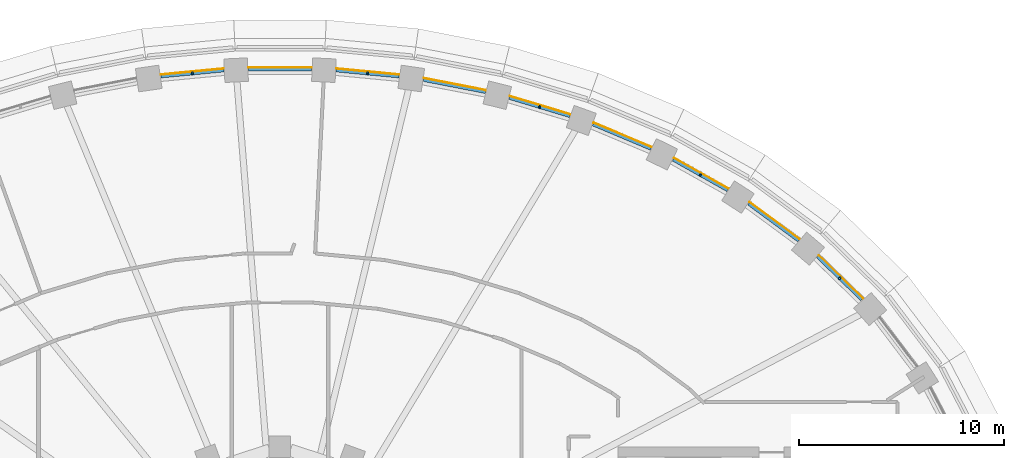
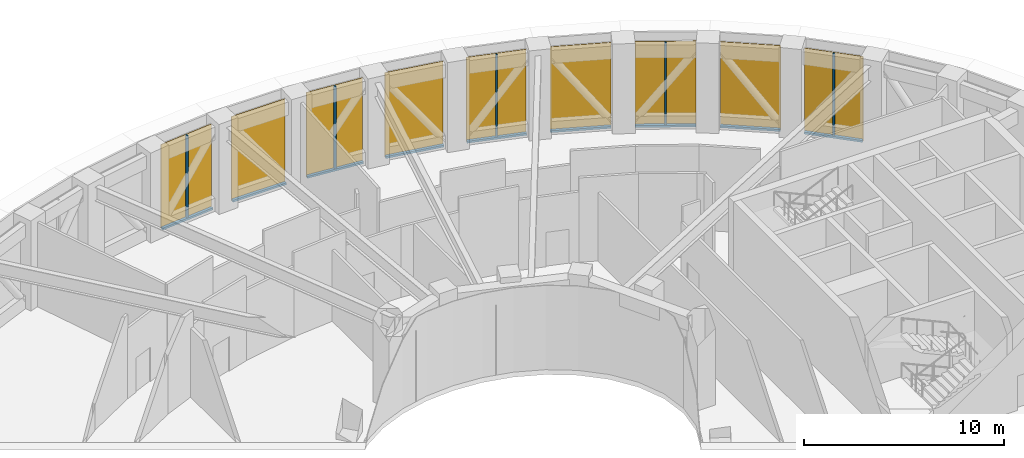
# One storey, part 18 of 25: 14 members, 9 curtain walls.
"""IFC4 building model written with IfcOpenShell, lengths in metres."""

import ifcopenshell
import ifcopenshell.guid

model = None  # the IFC model being written
_history = None  # IfcOwnerHistory: only IFC2X3 demands one
_inside = {}  # id of a spatial element -> (the spatial element, [elements in it])
_under = {}  # id of a project, library or spatial element -> (it, [spatial elements below it])
_declared = {}  # id of a project -> (the project, [libraries it declares])
_typed = {}  # id of a type object -> (the type object, [elements of that type])
_made_of = {}  # id of a material, layer set ... -> (it, [elements and type objects made of it])


def new_model(schema):
    """Start an empty IFC model of exactly this schema.

    Asked for "IFC4X3", IfcOpenShell would pick the latest addendum, in which some entities
    have other attributes; the version numbers below select the first issue.
    IFC2X3 requires an IfcOwnerHistory on every rooted entity: one is made here for all.
    """
    global model, _history
    if schema == "IFC4X3":
        model = ifcopenshell.file(schema_version=(4, 3, 0, 0))
    else:
        model = ifcopenshell.file(schema=schema)
    _inside.clear()
    _under.clear()
    _declared.clear()
    _typed.clear()
    _made_of.clear()
    _history = None
    if model.schema == "IFC2X3":
        org = make("IfcOrganization", Name="unknown")
        user = make(
            "IfcPersonAndOrganization",
            ThePerson=make("IfcPerson", FamilyName="unknown"),
            TheOrganization=org,
        )
        app = make(
            "IfcApplication",
            ApplicationDeveloper=org,
            Version="unknown",
            ApplicationFullName="unknown",
            ApplicationIdentifier="unknown",
        )
        _history = make(
            "IfcOwnerHistory",
            OwningUser=user,
            OwningApplication=app,
            ChangeAction="ADDED",
            CreationDate=0,
        )
    return model


def make(cls, **values):
    """One entity of the class cls with the attributes given. An attribute that is None is left unset."""
    return model.create_entity(
        cls, **{name: value for name, value in values.items() if value is not None}
    )


def rooted(cls, **values):
    """An entity with a GlobalId (a new one), such as an element, a storey or a relation."""
    return make(cls, GlobalId=ifcopenshell.guid.new(), OwnerHistory=_history, **values)


def si_unit(unit_type, name, prefix=None):
    """IfcSIUnit, for example si_unit("LENGTHUNIT", "METRE", prefix="MILLI")."""
    return make("IfcSIUnit", UnitType=unit_type, Prefix=prefix, Name=name)


def assignment(units):
    """IfcUnitAssignment: the units of a project."""
    return None if units is None else make("IfcUnitAssignment", Units=units)


def point(xyz):
    """IfcCartesianPoint."""
    return None if xyz is None else make("IfcCartesianPoint", Coordinates=xyz)


def direction(xyz):
    """IfcDirection."""
    return None if xyz is None else make("IfcDirection", DirectionRatios=xyz)


def frame(location, z_axis=None, x_axis=None):
    """IfcAxis2Placement3D, a coordinate frame: its origin and axes. An axis left out is left unset."""
    return make(
        "IfcAxis2Placement3D",
        Location=point(location),
        Axis=direction(z_axis),
        RefDirection=direction(x_axis),
    )


def frame_2d(location, x_axis=None):
    """IfcAxis2Placement2D, a coordinate frame in the plane: its origin and x axis."""
    return make(
        "IfcAxis2Placement2D", Location=point(location), RefDirection=direction(x_axis)
    )


def origin():
    """The frame at (0, 0, 0) with its axes left unset."""
    return frame((0.0, 0.0, 0.0))


def origin_2d():
    """The frame at (0, 0) in the plane with its x axis left unset."""
    return frame_2d((0.0, 0.0))


def place(relative_to, where):
    """IfcLocalPlacement: puts the frame where relative to a parent placement (None: the world)."""
    return make(
        "IfcLocalPlacement", PlacementRelTo=relative_to, RelativePlacement=where
    )


def context(
    kind, dimensions, precision=None, world=None, true_north=None, identifier=None
):
    """IfcGeometricRepresentationContext, for example the 3D "Model" context."""
    return make(
        "IfcGeometricRepresentationContext",
        ContextIdentifier=identifier,
        ContextType=kind,
        CoordinateSpaceDimension=dimensions,
        Precision=precision,
        WorldCoordinateSystem=world,
        TrueNorth=true_north,
    )


def subcontext(parent, identifier, kind, view, scale=None):
    """IfcGeometricRepresentationSubContext, for example "Body" below "Model"."""
    return make(
        "IfcGeometricRepresentationSubContext",
        ContextIdentifier=identifier,
        ContextType=kind,
        ParentContext=parent,
        TargetScale=scale,
        TargetView=view,
    )


def project(units=None, contexts=None):
    """IfcProject with its units and contexts."""
    return rooted(
        "IfcProject",
        Name="project",
        RepresentationContexts=contexts,
        UnitsInContext=assignment(units),
    )


def spatial(cls, under=None, at=None, **own):
    """A site, building, storey or space (cls), placed at a placement, below another one or the project."""
    s = rooted(cls, ObjectPlacement=at, **own)
    if under is not None:
        _under.setdefault(under.id(), (under, []))[1].append(s)
    return s


def polyline(points):
    """IfcPolyline through the points."""
    return make("IfcPolyline", Points=[point(p) for p in points])


def profile(cls, at=None, kind="AREA", **sizes):
    """A parametric profile (cls). Its sizes go by their IFC names, for example OverallWidth=200.0."""
    return make(cls, ProfileType=kind, Position=at, **sizes)


def rectangle(**sizes):
    """IfcRectangleProfileDef."""
    return profile("IfcRectangleProfileDef", **sizes)


def outline(outer, holes=None, kind="AREA"):
    """IfcArbitraryClosedProfileDef: a profile drawn as a closed curve; with holes, ...WithVoids."""
    if holes is None:
        return make("IfcArbitraryClosedProfileDef", ProfileType=kind, OuterCurve=outer)
    return make(
        "IfcArbitraryProfileDefWithVoids",
        ProfileType=kind,
        OuterCurve=outer,
        InnerCurves=holes,
    )


def extrude(swept, where, along, depth):
    """IfcExtrudedAreaSolid: the profile swept, set in the frame where, extruded along a direction by depth."""
    return make(
        "IfcExtrudedAreaSolid",
        SweptArea=swept,
        Position=where,
        ExtrudedDirection=direction(along),
        Depth=depth,
    )


def shape(context_of_items, identifier, shape_type, items):
    """IfcShapeRepresentation: the items that make up one representation, for example the "Body"."""
    return make(
        "IfcShapeRepresentation",
        ContextOfItems=context_of_items,
        RepresentationIdentifier=identifier,
        RepresentationType=shape_type,
        Items=items,
    )


def material(Name=None, Category=None):
    """IfcMaterial."""
    return make("IfcMaterial", Name=Name, Category=Category)


def layer(
    of_material, thickness, ventilated=None, Name=None, Category=None, Priority=None
):
    """IfcMaterialLayer: one layer of a wall or slab, of a material (None: an air gap)."""
    return make(
        "IfcMaterialLayer",
        Material=of_material,
        LayerThickness=thickness,
        IsVentilated=ventilated,
        Name=Name,
        Category=Category,
        Priority=Priority,
    )


def layer_set(layers, Name=None):
    """IfcMaterialLayerSet."""
    return make("IfcMaterialLayerSet", MaterialLayers=layers, LayerSetName=Name)


def material_profile(
    of_material, cross_section, Name=None, Category=None, Priority=None
):
    """IfcMaterialProfile: a cross section and its material."""
    return make(
        "IfcMaterialProfile",
        Name=Name,
        Material=of_material,
        Profile=cross_section,
        Priority=Priority,
        Category=Category,
    )


def profile_set(profiles, Name=None, composite=None):
    """IfcMaterialProfileSet."""
    return make(
        "IfcMaterialProfileSet",
        Name=Name,
        MaterialProfiles=profiles,
        CompositeProfile=composite,
    )


def made_of(thing, what):
    """Note that an element or type object is made of a material, layer set ...; save() writes the relation."""
    if what is not None:
        _made_of.setdefault(what.id(), (what, []))[1].append(thing)
    return thing


def type_object(cls, material=None, **own):
    """A type object (cls), such as IfcWallType, which elements share."""
    return made_of(rooted(cls, **own), material)


def element(
    cls,
    number,
    at=None,
    inside=None,
    cuts=None,
    type_object=None,
    material=None,
    context=None,
    identifier="Body",
    shape_type=None,
    held_by="IfcProductDefinitionShape",
    body=None,
    shapes=None,
    **own,
):
    """One element of the class cls, such as IfcWall. Its Tag is "e" and its number.

    at: its placement. inside: the storey or other place that contains it. cuts: it is an
    opening in that element (IfcRelVoidsElement). A single representation is given by context,
    identifier, shape_type and body (its items); several are given by shapes. held_by: the class
    of the entity that holds the representations. save() writes the other relations.
    """
    e = rooted(cls, Tag="e%d" % number, ObjectPlacement=at, **own)
    if body is not None:
        shapes = [shape(context, identifier, shape_type, body)]
    if shapes is not None:
        e.Representation = make(held_by, Representations=shapes)
    if inside is not None:
        _inside.setdefault(inside.id(), (inside, []))[1].append(e)
    if cuts is not None:
        rooted(
            "IfcRelVoidsElement", RelatingBuildingElement=cuts, RelatedOpeningElement=e
        )
    if type_object is not None:
        _typed.setdefault(type_object.id(), (type_object, []))[1].append(e)
    return made_of(e, material)


def aggregate(whole, parts):
    """IfcRelAggregates: a whole, such as a stair, and the parts it consists of."""
    return rooted("IfcRelAggregates", RelatingObject=whole, RelatedObjects=parts)


def save(model, path):
    """Write the relations noted so far, then the file.

    IfcRelAggregates (storeys below a building ...), IfcRelContainedInSpatialStructure (elements
    in a storey), IfcRelDefinesByType, IfcRelAssociatesMaterial and IfcRelDeclares: one each for
    every whole, place, type object, material and project.
    """
    for whole, parts in _under.values():
        aggregate(whole, parts)
    for where, things in _inside.values():
        rooted(
            "IfcRelContainedInSpatialStructure",
            RelatedElements=things,
            RelatingStructure=where,
        )
    for kind, things in _typed.values():
        rooted("IfcRelDefinesByType", RelatedObjects=things, RelatingType=kind)
    for what, things in _made_of.values():
        rooted("IfcRelAssociatesMaterial", RelatedObjects=things, RelatingMaterial=what)
    for by, libraries in _declared.values():
        rooted("IfcRelDeclares", RelatingContext=by, RelatedDefinitions=libraries)
    model.write(path)


model = new_model("IFC4")

# Units and contexts
model_context = context("Model", 3, precision=1e-05, world=origin(), true_north=direction((0.0, 1.0)))
body_context = subcontext(model_context, "Body", "Model", "MODEL_VIEW")
ifc_project = project(units=[si_unit("LENGTHUNIT", "METRE"), si_unit("AREAUNIT", "SQUARE_METRE"), si_unit("VOLUMEUNIT", "CUBIC_METRE"), si_unit("PLANEANGLEUNIT", "RADIAN"), si_unit("MASSUNIT", "GRAM", prefix="KILO")], contexts=[model_context])

# Member
ifc_material_1 = material(Name="Aluminium 6063-T6 black anodised", Category="aluminium")
ifc_material_profile = material_profile(ifc_material_1, rectangle(XDim=0.14990234375, YDim=0.080078125, at=origin_2d()), Name="150x80")
ifc_profile_set = profile_set([ifc_material_profile], Name="Aluminium 6063-T6 black anodised")
member_type_1 = type_object("IfcMemberType", Name="ENV-MULLION-B-150", PredefinedType="MULLION", material=ifc_profile_set)
site_placement = place(None, origin())
building_placement = place(site_placement, origin())
storey_placement = place(building_placement, frame((0.0, 0.0, 198.0)))
member_1_placement = place(storey_placement, frame((27.3310546875, 16.73583984375, 0.1201171875), z_axis=(0.0, 0.0, 1.0), x_axis=(-0.696842125038, -0.717224548362, 0.0)))
member_1 = element("IfcMember", 1, at=member_1_placement, type_object=member_type_1, Name="Mullion B chord 05", PredefinedType="MULLION", context=body_context, shape_type="SweptSolid", body=[
    extrude(rectangle(XDim=0.14990234375, YDim=0.080078125, at=origin_2d()), origin(), (0.0, 0.0, 1.0), 5.02978515625),
])

member_2_placement = place(storey_placement, frame((20.525634765625, 21.780029296875, 0.1201171875), z_axis=(0.0, 0.0, 1.0), x_axis=(-0.48942643941, -0.872044586249, 0.0)))
member_2 = element("IfcMember", 2, at=member_2_placement, type_object=member_type_1, Name="Mullion B chord 07", PredefinedType="MULLION", context=body_context, shape_type="SweptSolid", body=[
    extrude(rectangle(XDim=0.14990234375, YDim=0.080078125, at=origin_2d()), origin(), (0.0, 0.0, 1.0), 5.02978515625),
])

member_3_placement = place(storey_placement, frame((12.673828125, 25.098388671875, 0.1201171875), z_axis=(0.0, 0.0, 1.0), x_axis=(-0.28817445525, -0.957577925467, 0.0)))
member_3 = element("IfcMember", 3, at=member_3_placement, type_object=member_type_1, Name="Mullion B chord 09", PredefinedType="MULLION", context=body_context, shape_type="SweptSolid", body=[
    extrude(rectangle(XDim=0.14990234375, YDim=0.080078125, at=origin_2d()), origin(), (0.0, 0.0, 1.0), 5.02978515625),
])

member_4_placement = place(storey_placement, frame((4.2802734375, 26.7373046875, 0.1201171875), z_axis=(0.0, 0.0, 1.0), x_axis=(-0.095008122171, -0.995476497323, 0.0)))
member_4 = element("IfcMember", 4, at=member_4_placement, type_object=member_type_1, Name="Mullion B chord 11", PredefinedType="MULLION", context=body_context, shape_type="SweptSolid", body=[
    extrude(rectangle(XDim=0.14990234375, YDim=0.080078125, at=origin_2d()), origin(), (0.0, 0.0, 1.0), 5.02978515625),
])

member_5_placement = place(storey_placement, frame((-4.2802734375, 26.7373046875, 0.1201171875), z_axis=(0.0, 0.0, 1.0), x_axis=(0.095008122171, -0.995476497323, 0.0)))
member_5 = element("IfcMember", 5, at=member_5_placement, type_object=member_type_1, Name="Mullion B chord 13", PredefinedType="MULLION", context=body_context, shape_type="SweptSolid", body=[
    extrude(rectangle(XDim=0.14990234375, YDim=0.080078125, at=origin_2d()), origin(), (0.0, 0.0, 1.0), 5.02978515625),
])

ifc_material_2 = material(Name="Aluminium 6063-T6 black anodised", Category="aluminium")
member_type_2 = type_object("IfcMemberType", Name="ENV-TRANSOM-B", PredefinedType="USERDEFINED", material=ifc_material_2)
member_6_placement = place(storey_placement, origin())
member_6 = element("IfcMember", 6, at=member_6_placement, type_object=member_type_2, Name="Transom B radial 05-06", ObjectType="TRANSOM", PredefinedType="USERDEFINED", context=body_context, shape_type="SweptSolid", body=[
    extrude(outline(polyline([(28.465087890625, 15.73876953125), (26.298583984375, 17.843505859375), (26.201416015625, 17.72900390625), (28.3525390625, 15.638916015625), (28.465087890625, 15.73876953125)])), origin(), (0.0, 0.0, 1.0), 0.1201171875),
])

member_7_placement = place(storey_placement, origin())
member_7 = element("IfcMember", 7, at=member_7_placement, type_object=member_type_2, Name="Transom B radial 06-07", ObjectType="TRANSOM", PredefinedType="USERDEFINED", context=body_context, shape_type="SweptSolid", body=[
    extrude(outline(polyline([(25.365966796875, 18.6337890625), (22.916748046875, 20.43798828125), (22.835205078125, 20.3115234375), (25.268798828125, 18.519287109375), (25.365966796875, 18.6337890625)])), origin(), (0.0, 0.0, 1.0), 0.1201171875),
])

member_8_placement = place(storey_placement, origin())
member_8 = element("IfcMember", 8, at=member_8_placement, type_object=member_type_2, Name="Transom B radial 07-08", ObjectType="TRANSOM", PredefinedType="USERDEFINED", context=body_context, shape_type="SweptSolid", body=[
    extrude(outline(polyline([(21.894775390625, 21.097412109375), (19.227294921875, 22.5947265625), (19.1611328125, 22.459716796875), (21.813232421875, 20.97119140625), (21.894775390625, 21.097412109375)])), origin(), (0.0, 0.0, 1.0), 0.1201171875),
])

member_9_placement = place(storey_placement, origin())
member_9 = element("IfcMember", 9, at=member_9_placement, type_object=member_type_2, Name="Transom B radial 08-09", ObjectType="TRANSOM", PredefinedType="USERDEFINED", context=body_context, shape_type="SweptSolid", body=[
    extrude(outline(polyline([(18.138916015625, 23.126708984375), (15.306884765625, 24.317626953125), (15.256103515625, 24.176513671875), (18.072998046875, 22.99169921875), (18.138916015625, 23.126708984375)])), origin(), (0.0, 0.0, 1.0), 0.1201171875),
])

member_10_placement = place(storey_placement, origin())
member_10 = element("IfcMember", 10, at=member_10_placement, type_object=member_type_2, Name="Transom B radial 09-10", ObjectType="TRANSOM", PredefinedType="USERDEFINED", context=body_context, shape_type="SweptSolid", body=[
    extrude(outline(polyline([(14.170654296875, 24.726318359375), (11.218994140625, 25.614501953125), (11.18310546875, 25.46875), (14.119873046875, 24.5849609375), (14.170654296875, 24.726318359375)])), origin(), (0.0, 0.0, 1.0), 0.1201171875),
])

member_11_placement = place(storey_placement, origin())
member_11 = element("IfcMember", 11, at=member_11_placement, type_object=member_type_2, Name="Transom B radial 10-11", ObjectType="TRANSOM", PredefinedType="USERDEFINED", context=body_context, shape_type="SweptSolid", body=[
    extrude(outline(polyline([(10.049560546875, 25.9033203125), (7.01708984375, 26.492919921875), (6.995849609375, 26.34423828125), (10.013427734375, 25.757568359375), (10.049560546875, 25.9033203125)])), origin(), (0.0, 0.0, 1.0), 0.1201171875),
])

member_12_placement = place(storey_placement, origin())
member_12 = element("IfcMember", 12, at=member_12_placement, type_object=member_type_2, Name="Transom B radial 11-12", ObjectType="TRANSOM", PredefinedType="USERDEFINED", context=body_context, shape_type="SweptSolid", body=[
    extrude(outline(polyline([(5.82666015625, 26.6650390625), (2.747802734375, 26.958740234375), (2.740478515625, 26.808837890625), (5.80517578125, 26.516357421875), (5.82666015625, 26.6650390625)])), origin(), (0.0, 0.0, 1.0), 0.1201171875),
])

member_13_placement = place(storey_placement, origin())
member_13 = element("IfcMember", 13, at=member_13_placement, type_object=member_type_2, Name="Transom B radial 12-13", ObjectType="TRANSOM", PredefinedType="USERDEFINED", context=body_context, shape_type="SweptSolid", body=[
    extrude(outline(polyline([(1.547119140625, 27.01611328125), (-1.547119140625, 27.01611328125), (-1.5400390625, 26.865966796875), (1.5400390625, 26.865966796875), (1.547119140625, 27.01611328125)])), origin(), (0.0, 0.0, 1.0), 0.1201171875),
])

member_14_placement = place(storey_placement, origin())
member_14 = element("IfcMember", 14, at=member_14_placement, type_object=member_type_2, Name="Transom B radial 13-14", ObjectType="TRANSOM", PredefinedType="USERDEFINED", context=body_context, shape_type="SweptSolid", body=[
    extrude(outline(polyline([(-2.747802734375, 26.958740234375), (-5.82666015625, 26.6650390625), (-5.80517578125, 26.516357421875), (-2.740478515625, 26.808837890625), (-2.747802734375, 26.958740234375)])), origin(), (0.0, 0.0, 1.0), 0.1201171875),
])

# Site, building, storey
site = spatial("IfcSite", under=ifc_project, at=site_placement, CompositionType="ELEMENT")
building = spatial("IfcBuilding", under=site, at=building_placement, Name="Noorbagh Ring Tower", CompositionType="ELEMENT")
storey = spatial("IfcBuildingStorey", under=building, at=storey_placement, Name="L46", CompositionType="ELEMENT", Elevation=198.0)

# Curtain wall
ifc_material_3 = material(Name="Glass dark tinted laminated", Category="glass")
ifc_layer = layer(ifc_material_3, 0.031982421875)
ifc_layer_set = layer_set([ifc_layer], Name="Glass dark tinted laminated")
curtain_wall_type = type_object("IfcCurtainWallType", Name="ENV-CW-B", PredefinedType="NOTDEFINED", material=ifc_layer_set)
curtain_wall_1_placement = place(storey_placement, origin())
curtain_wall_1 = element("IfcCurtainWall", 15, at=curtain_wall_1_placement, inside=storey, type_object=curtain_wall_type, Name="Curtain wall B R05", PredefinedType="NOTDEFINED", context=body_context, shape_type="SweptSolid", body=[
    extrude(outline(polyline([(28.4892578125, 15.760009765625), (26.3193359375, 17.8681640625), (26.298583984375, 17.843505859375), (28.465087890625, 15.73876953125), (28.4892578125, 15.760009765625)])), origin(), (0.0, 0.0, 1.0), 5.14990234375),
])

aggregate(curtain_wall_1, [member_1, member_6])

curtain_wall_2_placement = place(storey_placement, origin())
curtain_wall_2 = element("IfcCurtainWall", 16, at=curtain_wall_2_placement, inside=storey, type_object=curtain_wall_type, Name="Curtain wall B R06", PredefinedType="NOTDEFINED", context=body_context, shape_type="SweptSolid", body=[
    extrude(outline(polyline([(25.38671875, 18.658447265625), (22.93408203125, 20.46484375), (22.916748046875, 20.43798828125), (25.365966796875, 18.6337890625), (25.38671875, 18.658447265625)])), origin(), (0.0, 0.0, 1.0), 5.14990234375),
])

aggregate(curtain_wall_2, [member_7])

curtain_wall_3_placement = place(storey_placement, origin())
curtain_wall_3 = element("IfcCurtainWall", 17, at=curtain_wall_3_placement, inside=storey, type_object=curtain_wall_type, Name="Curtain wall B R07", PredefinedType="NOTDEFINED", context=body_context, shape_type="SweptSolid", body=[
    extrude(outline(polyline([(21.912109375, 21.12451171875), (19.2412109375, 22.62353515625), (19.227294921875, 22.5947265625), (21.894775390625, 21.097412109375), (21.912109375, 21.12451171875)])), origin(), (0.0, 0.0, 1.0), 5.14990234375),
])

aggregate(curtain_wall_3, [member_2, member_8])

curtain_wall_4_placement = place(storey_placement, origin())
curtain_wall_4 = element("IfcCurtainWall", 18, at=curtain_wall_4_placement, inside=storey, type_object=curtain_wall_type, Name="Curtain wall B R08", PredefinedType="NOTDEFINED", context=body_context, shape_type="SweptSolid", body=[
    extrude(outline(polyline([(18.153076171875, 23.155517578125), (15.317626953125, 24.347900390625), (15.306884765625, 24.317626953125), (18.138916015625, 23.126708984375), (18.153076171875, 23.155517578125)])), origin(), (0.0, 0.0, 1.0), 5.14990234375),
])

aggregate(curtain_wall_4, [member_9])

curtain_wall_5_placement = place(storey_placement, origin())
curtain_wall_5 = element("IfcCurtainWall", 19, at=curtain_wall_5_placement, inside=storey, type_object=curtain_wall_type, Name="Curtain wall B R09", PredefinedType="NOTDEFINED", context=body_context, shape_type="SweptSolid", body=[
    extrude(outline(polyline([(14.181396484375, 24.75634765625), (11.226806640625, 25.6455078125), (11.218994140625, 25.614501953125), (14.170654296875, 24.726318359375), (14.181396484375, 24.75634765625)])), origin(), (0.0, 0.0, 1.0), 5.14990234375),
])

aggregate(curtain_wall_5, [member_3, member_10])

curtain_wall_6_placement = place(storey_placement, origin())
curtain_wall_6 = element("IfcCurtainWall", 20, at=curtain_wall_6_placement, inside=storey, type_object=curtain_wall_type, Name="Curtain wall B R10", PredefinedType="NOTDEFINED", context=body_context, shape_type="SweptSolid", body=[
    extrude(outline(polyline([(10.05712890625, 25.9345703125), (7.021728515625, 26.524658203125), (7.01708984375, 26.492919921875), (10.049560546875, 25.9033203125), (10.05712890625, 25.9345703125)])), origin(), (0.0, 0.0, 1.0), 5.14990234375),
])

aggregate(curtain_wall_6, [member_11])

curtain_wall_7_placement = place(storey_placement, origin())
curtain_wall_7 = element("IfcCurtainWall", 21, at=curtain_wall_7_placement, inside=storey, type_object=curtain_wall_type, Name="Curtain wall B R11", PredefinedType="NOTDEFINED", context=body_context, shape_type="SweptSolid", body=[
    extrude(outline(polyline([(5.831298828125, 26.69677734375), (2.749267578125, 26.99072265625), (2.747802734375, 26.958740234375), (5.82666015625, 26.6650390625), (5.831298828125, 26.69677734375)])), origin(), (0.0, 0.0, 1.0), 5.14990234375),
])

aggregate(curtain_wall_7, [member_4, member_12])

curtain_wall_8_placement = place(storey_placement, origin())
curtain_wall_8 = element("IfcCurtainWall", 22, at=curtain_wall_8_placement, inside=storey, type_object=curtain_wall_type, Name="Curtain wall B R12", PredefinedType="NOTDEFINED", context=body_context, shape_type="SweptSolid", body=[
    extrude(outline(polyline([(1.548583984375, 27.048095703125), (-1.548583984375, 27.048095703125), (-1.547119140625, 27.01611328125), (1.547119140625, 27.01611328125), (1.548583984375, 27.048095703125)])), origin(), (0.0, 0.0, 1.0), 5.14990234375),
])

aggregate(curtain_wall_8, [member_13])

curtain_wall_9_placement = place(storey_placement, origin())
curtain_wall_9 = element("IfcCurtainWall", 23, at=curtain_wall_9_placement, inside=storey, type_object=curtain_wall_type, Name="Curtain wall B R13", PredefinedType="NOTDEFINED", context=body_context, shape_type="SweptSolid", body=[
    extrude(outline(polyline([(-2.749267578125, 26.99072265625), (-5.831298828125, 26.69677734375), (-5.82666015625, 26.6650390625), (-2.747802734375, 26.958740234375), (-2.749267578125, 26.99072265625)])), origin(), (0.0, 0.0, 1.0), 5.14990234375),
])

aggregate(curtain_wall_9, [member_5, member_14])

save(model, "model.ifc")
